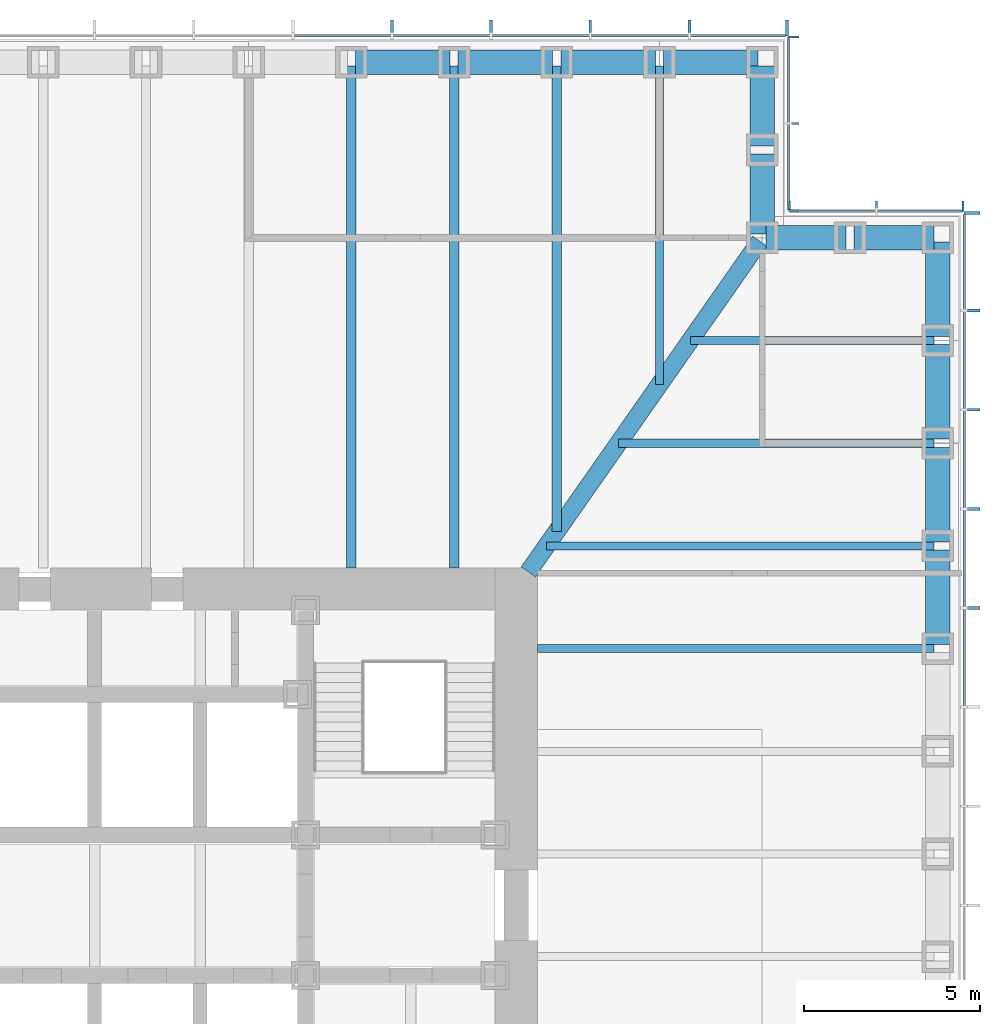
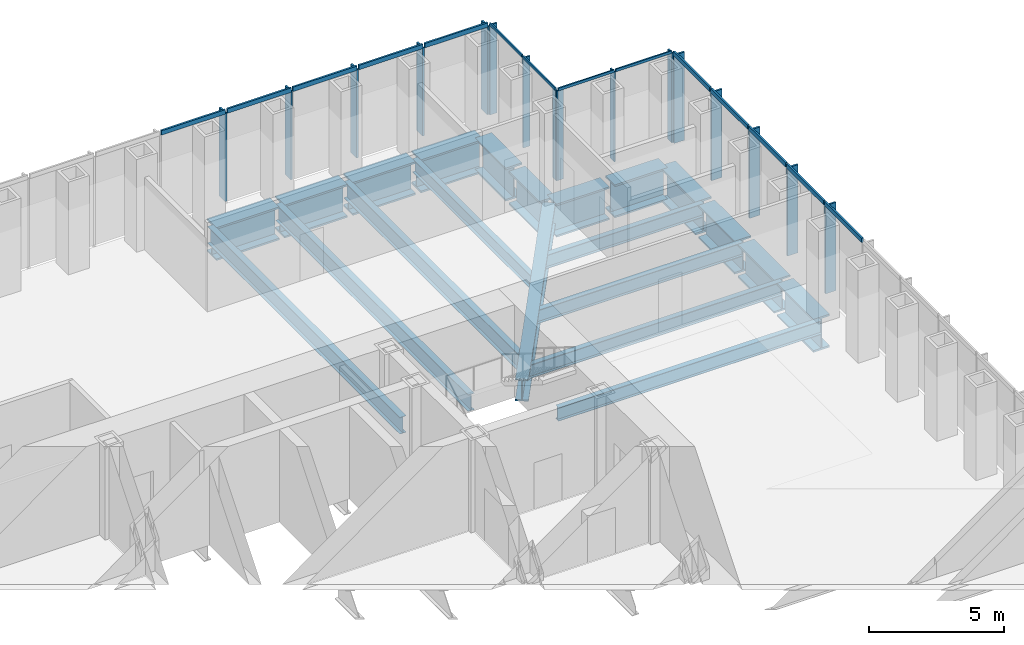
# One storey, part 6 of 17: 30 members, 21 beams, 4 elements without a shape of their own.
"""IFC4 building model written with IfcOpenShell, lengths in metres."""

import ifcopenshell
import ifcopenshell.guid

model = None  # the IFC model being written
_history = None  # IfcOwnerHistory: only IFC2X3 demands one
_inside = {}  # id of a spatial element -> (the spatial element, [elements in it])
_under = {}  # id of a project, library or spatial element -> (it, [spatial elements below it])
_declared = {}  # id of a project -> (the project, [libraries it declares])
_typed = {}  # id of a type object -> (the type object, [elements of that type])
_made_of = {}  # id of a material, layer set ... -> (it, [elements and type objects made of it])


def new_model(schema):
    """Start an empty IFC model of exactly this schema.

    Asked for "IFC4X3", IfcOpenShell would pick the latest addendum, in which some entities
    have other attributes; the version numbers below select the first issue.
    IFC2X3 requires an IfcOwnerHistory on every rooted entity: one is made here for all.
    """
    global model, _history
    if schema == "IFC4X3":
        model = ifcopenshell.file(schema_version=(4, 3, 0, 0))
    else:
        model = ifcopenshell.file(schema=schema)
    _inside.clear()
    _under.clear()
    _declared.clear()
    _typed.clear()
    _made_of.clear()
    _history = None
    if model.schema == "IFC2X3":
        org = make("IfcOrganization", Name="unknown")
        user = make(
            "IfcPersonAndOrganization",
            ThePerson=make("IfcPerson", FamilyName="unknown"),
            TheOrganization=org,
        )
        app = make(
            "IfcApplication",
            ApplicationDeveloper=org,
            Version="unknown",
            ApplicationFullName="unknown",
            ApplicationIdentifier="unknown",
        )
        _history = make(
            "IfcOwnerHistory",
            OwningUser=user,
            OwningApplication=app,
            ChangeAction="ADDED",
            CreationDate=0,
        )
    return model


def make(cls, **values):
    """One entity of the class cls with the attributes given. An attribute that is None is left unset."""
    return model.create_entity(
        cls, **{name: value for name, value in values.items() if value is not None}
    )


def rooted(cls, **values):
    """An entity with a GlobalId (a new one), such as an element, a storey or a relation."""
    return make(cls, GlobalId=ifcopenshell.guid.new(), OwnerHistory=_history, **values)


def si_unit(unit_type, name, prefix=None):
    """IfcSIUnit, for example si_unit("LENGTHUNIT", "METRE", prefix="MILLI")."""
    return make("IfcSIUnit", UnitType=unit_type, Prefix=prefix, Name=name)


def assignment(units):
    """IfcUnitAssignment: the units of a project."""
    return None if units is None else make("IfcUnitAssignment", Units=units)


def point(xyz):
    """IfcCartesianPoint."""
    return None if xyz is None else make("IfcCartesianPoint", Coordinates=xyz)


def direction(xyz):
    """IfcDirection."""
    return None if xyz is None else make("IfcDirection", DirectionRatios=xyz)


def frame(location, z_axis=None, x_axis=None):
    """IfcAxis2Placement3D, a coordinate frame: its origin and axes. An axis left out is left unset."""
    return make(
        "IfcAxis2Placement3D",
        Location=point(location),
        Axis=direction(z_axis),
        RefDirection=direction(x_axis),
    )


def frame_2d(location, x_axis=None):
    """IfcAxis2Placement2D, a coordinate frame in the plane: its origin and x axis."""
    return make(
        "IfcAxis2Placement2D", Location=point(location), RefDirection=direction(x_axis)
    )


def origin():
    """The frame at (0, 0, 0) with its axes left unset."""
    return frame((0.0, 0.0, 0.0))


def origin_2d():
    """The frame at (0, 0) in the plane with its x axis left unset."""
    return frame_2d((0.0, 0.0))


def place(relative_to, where):
    """IfcLocalPlacement: puts the frame where relative to a parent placement (None: the world)."""
    return make(
        "IfcLocalPlacement", PlacementRelTo=relative_to, RelativePlacement=where
    )


def context(
    kind, dimensions, precision=None, world=None, true_north=None, identifier=None
):
    """IfcGeometricRepresentationContext, for example the 3D "Model" context."""
    return make(
        "IfcGeometricRepresentationContext",
        ContextIdentifier=identifier,
        ContextType=kind,
        CoordinateSpaceDimension=dimensions,
        Precision=precision,
        WorldCoordinateSystem=world,
        TrueNorth=true_north,
    )


def subcontext(parent, identifier, kind, view, scale=None):
    """IfcGeometricRepresentationSubContext, for example "Body" below "Model"."""
    return make(
        "IfcGeometricRepresentationSubContext",
        ContextIdentifier=identifier,
        ContextType=kind,
        ParentContext=parent,
        TargetScale=scale,
        TargetView=view,
    )


def project(units=None, contexts=None):
    """IfcProject with its units and contexts."""
    return rooted(
        "IfcProject",
        Name="project",
        RepresentationContexts=contexts,
        UnitsInContext=assignment(units),
    )


def spatial(cls, under=None, at=None, **own):
    """A site, building, storey or space (cls), placed at a placement, below another one or the project."""
    s = rooted(cls, ObjectPlacement=at, **own)
    if under is not None:
        _under.setdefault(under.id(), (under, []))[1].append(s)
    return s


def profile(cls, at=None, kind="AREA", **sizes):
    """A parametric profile (cls). Its sizes go by their IFC names, for example OverallWidth=200.0."""
    return make(cls, ProfileType=kind, Position=at, **sizes)


def rectangle(**sizes):
    """IfcRectangleProfileDef."""
    return profile("IfcRectangleProfileDef", **sizes)


def i_section(**sizes):
    """IfcIShapeProfileDef."""
    return profile("IfcIShapeProfileDef", **sizes)


def extrude(swept, where, along, depth):
    """IfcExtrudedAreaSolid: the profile swept, set in the frame where, extruded along a direction by depth."""
    return make(
        "IfcExtrudedAreaSolid",
        SweptArea=swept,
        Position=where,
        ExtrudedDirection=direction(along),
        Depth=depth,
    )


def shape(context_of_items, identifier, shape_type, items):
    """IfcShapeRepresentation: the items that make up one representation, for example the "Body"."""
    return make(
        "IfcShapeRepresentation",
        ContextOfItems=context_of_items,
        RepresentationIdentifier=identifier,
        RepresentationType=shape_type,
        Items=items,
    )


def material(Name=None, Category=None):
    """IfcMaterial."""
    return make("IfcMaterial", Name=Name, Category=Category)


def material_profile(
    of_material, cross_section, Name=None, Category=None, Priority=None
):
    """IfcMaterialProfile: a cross section and its material."""
    return make(
        "IfcMaterialProfile",
        Name=Name,
        Material=of_material,
        Profile=cross_section,
        Priority=Priority,
        Category=Category,
    )


def profile_set(profiles, Name=None, composite=None):
    """IfcMaterialProfileSet."""
    return make(
        "IfcMaterialProfileSet",
        Name=Name,
        MaterialProfiles=profiles,
        CompositeProfile=composite,
    )


def made_of(thing, what):
    """Note that an element or type object is made of a material, layer set ...; save() writes the relation."""
    if what is not None:
        _made_of.setdefault(what.id(), (what, []))[1].append(thing)
    return thing


def type_object(cls, material=None, **own):
    """A type object (cls), such as IfcWallType, which elements share."""
    return made_of(rooted(cls, **own), material)


def element(
    cls,
    number,
    at=None,
    inside=None,
    cuts=None,
    type_object=None,
    material=None,
    context=None,
    identifier="Body",
    shape_type=None,
    held_by="IfcProductDefinitionShape",
    body=None,
    shapes=None,
    **own,
):
    """One element of the class cls, such as IfcWall. Its Tag is "e" and its number.

    at: its placement. inside: the storey or other place that contains it. cuts: it is an
    opening in that element (IfcRelVoidsElement). A single representation is given by context,
    identifier, shape_type and body (its items); several are given by shapes. held_by: the class
    of the entity that holds the representations. save() writes the other relations.
    """
    e = rooted(cls, Tag="e%d" % number, ObjectPlacement=at, **own)
    if body is not None:
        shapes = [shape(context, identifier, shape_type, body)]
    if shapes is not None:
        e.Representation = make(held_by, Representations=shapes)
    if inside is not None:
        _inside.setdefault(inside.id(), (inside, []))[1].append(e)
    if cuts is not None:
        rooted(
            "IfcRelVoidsElement", RelatingBuildingElement=cuts, RelatedOpeningElement=e
        )
    if type_object is not None:
        _typed.setdefault(type_object.id(), (type_object, []))[1].append(e)
    return made_of(e, material)


def aggregate(whole, parts):
    """IfcRelAggregates: a whole, such as a stair, and the parts it consists of."""
    return rooted("IfcRelAggregates", RelatingObject=whole, RelatedObjects=parts)


def save(model, path):
    """Write the relations noted so far, then the file.

    IfcRelAggregates (storeys below a building ...), IfcRelContainedInSpatialStructure (elements
    in a storey), IfcRelDefinesByType, IfcRelAssociatesMaterial and IfcRelDeclares: one each for
    every whole, place, type object, material and project.
    """
    for whole, parts in _under.values():
        aggregate(whole, parts)
    for where, things in _inside.values():
        rooted(
            "IfcRelContainedInSpatialStructure",
            RelatedElements=things,
            RelatingStructure=where,
        )
    for kind, things in _typed.values():
        rooted("IfcRelDefinesByType", RelatedObjects=things, RelatingType=kind)
    for what, things in _made_of.values():
        rooted("IfcRelAssociatesMaterial", RelatedObjects=things, RelatingMaterial=what)
    for by, libraries in _declared.values():
        rooted("IfcRelDeclares", RelatingContext=by, RelatedDefinitions=libraries)
    model.write(path)


model = new_model("IFC4")

# Units and contexts
model_context = context("Model", 3, precision=1e-05, world=origin(), true_north=direction((0.0, 1.0)))
body_context = subcontext(model_context, "Body", "Model", "MODEL_VIEW")
ifc_project = project(units=[si_unit("LENGTHUNIT", "METRE"), si_unit("AREAUNIT", "SQUARE_METRE"), si_unit("VOLUMEUNIT", "CUBIC_METRE"), si_unit("PLANEANGLEUNIT", "RADIAN"), si_unit("MASSUNIT", "GRAM", prefix="KILO")], contexts=[model_context])

# Site, building, storey
site_placement = place(None, origin())
site = spatial("IfcSite", under=ifc_project, at=site_placement, CompositionType="ELEMENT")
building_placement = place(site_placement, origin())
building = spatial("IfcBuilding", under=site, at=building_placement, Name="Daluyong Arena Tower", CompositionType="ELEMENT")
storey_placement = place(building_placement, frame((0.0, 0.0, 89.5)))
storey = spatial("IfcBuildingStorey", under=building, at=storey_placement, Name="L19", CompositionType="ELEMENT", Elevation=89.5)

# Curtain wall, members
ifc_material_1 = material(Name="Bronze anodised aluminium and glass", Category="aluminium")
curtain_wall_type_1 = type_object("IfcCurtainWallType", Name="Curtain wall CW1", PredefinedType="USERDEFINED", material=ifc_material_1)
curtain_wall_1_placement = place(storey_placement, origin())
curtain_wall_1 = element("IfcCurtainWall", 1, at=curtain_wall_1_placement, inside=storey, type_object=curtain_wall_type_1, Name="curtain wall L19 E", ObjectType="UNITISED CURTAIN WALL", PredefinedType="USERDEFINED")
ifc_material_2 = material(Name="Bronze anodised aluminium fin", Category="aluminium")
ifc_material_profile_1 = material_profile(ifc_material_2, rectangle(XDim=0.449951171875, YDim=0.080078125, at=origin_2d()))
ifc_profile_set_1 = profile_set([ifc_material_profile_1], Name="Bronze anodised aluminium fin")
member_type_1 = type_object("IfcMemberType", Name="CW1 bronze fin 450x80", PredefinedType="MULLION", material=ifc_profile_set_1)
member_1_placement = place(storey_placement, frame((80.97509765625, 88.46435546875, 0.0), z_axis=(0.0, 0.0, 1.0), x_axis=(-1.0, 0.0, 0.0)))
member_1 = element("IfcMember", 2, at=member_1_placement, type_object=member_type_1, Name="curtain wall L19 E fin 11", PredefinedType="MULLION", context=body_context, shape_type="SweptSolid", body=[
    extrude(rectangle(XDim=0.449951171875, YDim=0.080078125, at=origin_2d()), origin(), (0.0, 0.0, 1.0), 4.0),
])
member_2_placement = place(storey_placement, frame((80.97509765625, 91.28564453125, 0.0), z_axis=(0.0, 0.0, 1.0), x_axis=(-1.0, 0.0, 0.0)))
member_2 = element("IfcMember", 3, at=member_2_placement, type_object=member_type_1, Name="curtain wall L19 E fin 12", PredefinedType="MULLION", context=body_context, shape_type="SweptSolid", body=[
    extrude(rectangle(XDim=0.449951171875, YDim=0.080078125, at=origin_2d()), origin(), (0.0, 0.0, 1.0), 4.0),
])
member_3_placement = place(storey_placement, frame((80.97509765625, 94.107177734375, 0.0), z_axis=(0.0, 0.0, 1.0), x_axis=(-1.0, 0.0, 0.0)))
member_3 = element("IfcMember", 4, at=member_3_placement, type_object=member_type_1, Name="curtain wall L19 E fin 13", PredefinedType="MULLION", context=body_context, shape_type="SweptSolid", body=[
    extrude(rectangle(XDim=0.449951171875, YDim=0.080078125, at=origin_2d()), origin(), (0.0, 0.0, 1.0), 4.0),
])
member_4_placement = place(storey_placement, frame((80.97509765625, 96.928466796875, 0.0), z_axis=(0.0, 0.0, 1.0), x_axis=(-1.0, 0.0, 0.0)))
member_4 = element("IfcMember", 5, at=member_4_placement, type_object=member_type_1, Name="curtain wall L19 E fin 14", PredefinedType="MULLION", context=body_context, shape_type="SweptSolid", body=[
    extrude(rectangle(XDim=0.449951171875, YDim=0.080078125, at=origin_2d()), origin(), (0.0, 0.0, 1.0), 4.0),
])
member_5_placement = place(storey_placement, frame((80.97509765625, 99.7099609375, 0.0), z_axis=(0.0, 0.0, 1.0), x_axis=(-1.0, 0.0, 0.0)))
member_5 = element("IfcMember", 6, at=member_5_placement, type_object=member_type_1, Name="curtain wall L19 E fin 15", PredefinedType="MULLION", context=body_context, shape_type="SweptSolid", body=[
    extrude(rectangle(XDim=0.449951171875, YDim=0.080078125, at=origin_2d()), origin(), (0.0, 0.0, 1.0), 4.0),
])

curtain_wall_2_placement = place(storey_placement, origin())
curtain_wall_2 = element("IfcCurtainWall", 7, at=curtain_wall_2_placement, inside=storey, type_object=curtain_wall_type_1, Name="curtain wall L19 N", ObjectType="UNITISED CURTAIN WALL", PredefinedType="USERDEFINED")
member_6_placement = place(storey_placement, frame((75.7099609375, 104.97509765625, 0.0), z_axis=(0.0, 0.0, 1.0), x_axis=(0.0, -1.0, 0.0)))
member_6 = element("IfcMember", 8, at=member_6_placement, type_object=member_type_1, Name="curtain wall L19 N fin 1", PredefinedType="MULLION", context=body_context, shape_type="SweptSolid", body=[
    extrude(rectangle(XDim=0.449951171875, YDim=0.080078125, at=origin_2d()), origin(), (0.0, 0.0, 1.0), 4.0),
])
member_7_placement = place(storey_placement, frame((72.928466796875, 104.97509765625, 0.0), z_axis=(0.0, 0.0, 1.0), x_axis=(0.0, -1.0, 0.0)))
member_7 = element("IfcMember", 9, at=member_7_placement, type_object=member_type_1, Name="curtain wall L19 N fin 2", PredefinedType="MULLION", context=body_context, shape_type="SweptSolid", body=[
    extrude(rectangle(XDim=0.449951171875, YDim=0.080078125, at=origin_2d()), origin(), (0.0, 0.0, 1.0), 4.0),
])
member_8_placement = place(storey_placement, frame((70.107177734375, 104.97509765625, 0.0), z_axis=(0.0, 0.0, 1.0), x_axis=(0.0, -1.0, 0.0)))
member_8 = element("IfcMember", 10, at=member_8_placement, type_object=member_type_1, Name="curtain wall L19 N fin 3", PredefinedType="MULLION", context=body_context, shape_type="SweptSolid", body=[
    extrude(rectangle(XDim=0.449951171875, YDim=0.080078125, at=origin_2d()), origin(), (0.0, 0.0, 1.0), 4.0),
])
member_9_placement = place(storey_placement, frame((67.28564453125, 104.97509765625, 0.0), z_axis=(0.0, 0.0, 1.0), x_axis=(0.0, -1.0, 0.0)))
member_9 = element("IfcMember", 11, at=member_9_placement, type_object=member_type_1, Name="curtain wall L19 N fin 4", PredefinedType="MULLION", context=body_context, shape_type="SweptSolid", body=[
    extrude(rectangle(XDim=0.449951171875, YDim=0.080078125, at=origin_2d()), origin(), (0.0, 0.0, 1.0), 4.0),
])
member_10_placement = place(storey_placement, frame((64.46435546875, 104.97509765625, 0.0), z_axis=(0.0, 0.0, 1.0), x_axis=(0.0, -1.0, 0.0)))
member_10 = element("IfcMember", 12, at=member_10_placement, type_object=member_type_1, Name="curtain wall L19 N fin 5", PredefinedType="MULLION", context=body_context, shape_type="SweptSolid", body=[
    extrude(rectangle(XDim=0.449951171875, YDim=0.080078125, at=origin_2d()), origin(), (0.0, 0.0, 1.0), 4.0),
])

# Member
ifc_material_3 = material(Name="Bronze anodised aluminium", Category="aluminium")
ifc_material_profile_2 = material_profile(ifc_material_3, rectangle(XDim=0.080078125, YDim=0.199951171875, at=origin_2d()))
ifc_profile_set_2 = profile_set([ifc_material_profile_2], Name="Bronze anodised aluminium")
member_type_2 = type_object("IfcMemberType", Name="CW1 stack transom 200x80", PredefinedType="USERDEFINED", material=ifc_profile_set_2)
member_11_placement = place(storey_placement, frame((80.75, 85.682861328125, 4.10009765625), z_axis=(0.0, 1.0, 0.0), x_axis=(-1.0, 0.0, 0.0)))
member_11 = element("IfcMember", 13, at=member_11_placement, type_object=member_type_2, Name="curtain wall L19 E transom 10", ObjectType="TRANSOM", PredefinedType="USERDEFINED", context=body_context, shape_type="SweptSolid", body=[
    extrude(rectangle(XDim=0.080078125, YDim=0.199951171875, at=origin_2d()), origin(), (0.0, 0.0, 1.0), 2.741455078125),
])

member_12_placement = place(storey_placement, frame((80.75, 88.50439453125, 4.10009765625), z_axis=(0.0, 1.0, 0.0), x_axis=(-1.0, 0.0, 0.0)))
member_12 = element("IfcMember", 14, at=member_12_placement, type_object=member_type_2, Name="curtain wall L19 E transom 11", ObjectType="TRANSOM", PredefinedType="USERDEFINED", context=body_context, shape_type="SweptSolid", body=[
    extrude(rectangle(XDim=0.080078125, YDim=0.199951171875, at=origin_2d()), origin(), (0.0, 0.0, 1.0), 2.7412109375),
])

member_13_placement = place(storey_placement, frame((80.75, 91.32568359375, 4.10009765625), z_axis=(0.0, 1.0, 0.0), x_axis=(-1.0, 0.0, 0.0)))
member_13 = element("IfcMember", 15, at=member_13_placement, type_object=member_type_2, Name="curtain wall L19 E transom 12", ObjectType="TRANSOM", PredefinedType="USERDEFINED", context=body_context, shape_type="SweptSolid", body=[
    extrude(rectangle(XDim=0.080078125, YDim=0.199951171875, at=origin_2d()), origin(), (0.0, 0.0, 1.0), 2.741455078125),
])

member_14_placement = place(storey_placement, frame((80.75, 94.147216796875, 4.10009765625), z_axis=(0.0, 1.0, 0.0), x_axis=(-1.0, 0.0, 0.0)))
member_14 = element("IfcMember", 16, at=member_14_placement, type_object=member_type_2, Name="curtain wall L19 E transom 13", ObjectType="TRANSOM", PredefinedType="USERDEFINED", context=body_context, shape_type="SweptSolid", body=[
    extrude(rectangle(XDim=0.080078125, YDim=0.199951171875, at=origin_2d()), origin(), (0.0, 0.0, 1.0), 2.741455078125),
])

member_15_placement = place(storey_placement, frame((80.75, 96.968505859375, 4.10009765625), z_axis=(0.0, 1.0, 0.0), x_axis=(-1.0, 0.0, 0.0)))
member_15 = element("IfcMember", 17, at=member_15_placement, type_object=member_type_2, Name="curtain wall L19 E transom 14", ObjectType="TRANSOM", PredefinedType="USERDEFINED", context=body_context, shape_type="SweptSolid", body=[
    extrude(rectangle(XDim=0.080078125, YDim=0.199951171875, at=origin_2d()), origin(), (0.0, 0.0, 1.0), 2.701416015625),
])

aggregate(curtain_wall_1, [member_1, member_2, member_3, member_4, member_5, member_11, member_12, member_13, member_14, member_15])

member_16_placement = place(storey_placement, frame((75.669921875, 104.75, 4.10009765625), z_axis=(-1.0, 0.0, 0.0), x_axis=(0.0, -1.0, 0.0)))
member_16 = element("IfcMember", 18, at=member_16_placement, type_object=member_type_2, Name="curtain wall L19 N transom 1", ObjectType="TRANSOM", PredefinedType="USERDEFINED", context=body_context, shape_type="SweptSolid", body=[
    extrude(rectangle(XDim=0.080078125, YDim=0.199951171875, at=origin_2d()), origin(), (0.0, 0.0, 1.0), 2.701416015625),
])

member_17_placement = place(storey_placement, frame((72.888671875, 104.75, 4.10009765625), z_axis=(-1.0, 0.0, 0.0), x_axis=(0.0, -1.0, 0.0)))
member_17 = element("IfcMember", 19, at=member_17_placement, type_object=member_type_2, Name="curtain wall L19 N transom 2", ObjectType="TRANSOM", PredefinedType="USERDEFINED", context=body_context, shape_type="SweptSolid", body=[
    extrude(rectangle(XDim=0.080078125, YDim=0.199951171875, at=origin_2d()), origin(), (0.0, 0.0, 1.0), 2.741455078125),
])

member_18_placement = place(storey_placement, frame((70.067138671875, 104.75, 4.10009765625), z_axis=(-1.0, 0.0, 0.0), x_axis=(0.0, -1.0, 0.0)))
member_18 = element("IfcMember", 20, at=member_18_placement, type_object=member_type_2, Name="curtain wall L19 N transom 3", ObjectType="TRANSOM", PredefinedType="USERDEFINED", context=body_context, shape_type="SweptSolid", body=[
    extrude(rectangle(XDim=0.080078125, YDim=0.199951171875, at=origin_2d()), origin(), (0.0, 0.0, 1.0), 2.741455078125),
])

member_19_placement = place(storey_placement, frame((67.24560546875, 104.75, 4.10009765625), z_axis=(-1.0, 0.0, 0.0), x_axis=(0.0, -1.0, 0.0)))
member_19 = element("IfcMember", 21, at=member_19_placement, type_object=member_type_2, Name="curtain wall L19 N transom 4", ObjectType="TRANSOM", PredefinedType="USERDEFINED", context=body_context, shape_type="SweptSolid", body=[
    extrude(rectangle(XDim=0.080078125, YDim=0.199951171875, at=origin_2d()), origin(), (0.0, 0.0, 1.0), 2.7412109375),
])

member_20_placement = place(storey_placement, frame((64.42431640625, 104.75, 4.10009765625), z_axis=(-1.0, 0.0, 0.0), x_axis=(0.0, -1.0, 0.0)))
member_20 = element("IfcMember", 22, at=member_20_placement, type_object=member_type_2, Name="curtain wall L19 N transom 5", ObjectType="TRANSOM", PredefinedType="USERDEFINED", context=body_context, shape_type="SweptSolid", body=[
    extrude(rectangle(XDim=0.080078125, YDim=0.199951171875, at=origin_2d()), origin(), (0.0, 0.0, 1.0), 2.741455078125),
])

aggregate(curtain_wall_2, [member_6, member_7, member_8, member_9, member_10, member_16, member_17, member_18, member_19, member_20])

# Curtain wall, members
ifc_material_4 = material(Name="Bronze anodised aluminium and glass", Category="aluminium")
curtain_wall_type_2 = type_object("IfcCurtainWallType", Name="Curtain wall CW7", PredefinedType="USERDEFINED", material=ifc_material_4)
curtain_wall_3_placement = place(storey_placement, origin())
curtain_wall_3 = element("IfcCurtainWall", 23, at=curtain_wall_3_placement, inside=storey, type_object=curtain_wall_type_2, Name="curtain wall L19 NE-N", ObjectType="UNITISED CURTAIN WALL", PredefinedType="USERDEFINED")
ifc_material_5 = material(Name="Bronze anodised aluminium fin", Category="aluminium")
ifc_material_profile_3 = material_profile(ifc_material_5, rectangle(XDim=0.300048828125, YDim=0.06005859375, at=origin_2d()))
ifc_profile_set_3 = profile_set([ifc_material_profile_3], Name="Bronze anodised aluminium fin")
member_type_3 = type_object("IfcMemberType", Name="CW7 bronze fin 300x60", PredefinedType="MULLION", material=ifc_profile_set_3)
member_21_placement = place(storey_placement, frame((80.719970703125, 99.89990234375, 0.0), z_axis=(0.0, 0.0, 1.0), x_axis=(0.0, -1.0, 0.0)))
member_21 = element("IfcMember", 24, at=member_21_placement, type_object=member_type_3, Name="curtain wall L19 NE-N fin 1", PredefinedType="MULLION", context=body_context, shape_type="SweptSolid", body=[
    extrude(rectangle(XDim=0.300048828125, YDim=0.06005859375, at=origin_2d()), origin(), (0.0, 0.0, 1.0), 4.080078125),
])
member_22_placement = place(storey_placement, frame((78.25, 99.89990234375, 0.0), z_axis=(0.0, 0.0, 1.0), x_axis=(0.0, -1.0, 0.0)))
member_22 = element("IfcMember", 25, at=member_22_placement, type_object=member_type_3, Name="curtain wall L19 NE-N fin 2", PredefinedType="MULLION", context=body_context, shape_type="SweptSolid", body=[
    extrude(rectangle(XDim=0.300048828125, YDim=0.06005859375, at=origin_2d()), origin(), (0.0, 0.0, 1.0), 4.080078125),
])
member_23_placement = place(storey_placement, frame((75.780029296875, 99.89990234375, 0.0), z_axis=(0.0, 0.0, 1.0), x_axis=(0.0, -1.0, 0.0)))
member_23 = element("IfcMember", 26, at=member_23_placement, type_object=member_type_3, Name="curtain wall L19 NE-N fin 3", PredefinedType="MULLION", context=body_context, shape_type="SweptSolid", body=[
    extrude(rectangle(XDim=0.300048828125, YDim=0.06005859375, at=origin_2d()), origin(), (0.0, 0.0, 1.0), 4.080078125),
])

curtain_wall_4_placement = place(storey_placement, origin())
curtain_wall_4 = element("IfcCurtainWall", 27, at=curtain_wall_4_placement, inside=storey, type_object=curtain_wall_type_2, Name="curtain wall L19 NE-E", ObjectType="UNITISED CURTAIN WALL", PredefinedType="USERDEFINED")
member_24_placement = place(storey_placement, frame((75.89990234375, 99.780029296875, 0.0), z_axis=(0.0, 0.0, 1.0), x_axis=(-1.0, 0.0, 0.0)))
member_24 = element("IfcMember", 28, at=member_24_placement, type_object=member_type_3, Name="curtain wall L19 NE-E fin 1", PredefinedType="MULLION", context=body_context, shape_type="SweptSolid", body=[
    extrude(rectangle(XDim=0.300048828125, YDim=0.06005859375, at=origin_2d()), origin(), (0.0, 0.0, 1.0), 4.080078125),
])
member_25_placement = place(storey_placement, frame((75.89990234375, 102.25, 0.0), z_axis=(0.0, 0.0, 1.0), x_axis=(-1.0, 0.0, 0.0)))
member_25 = element("IfcMember", 29, at=member_25_placement, type_object=member_type_3, Name="curtain wall L19 NE-E fin 2", PredefinedType="MULLION", context=body_context, shape_type="SweptSolid", body=[
    extrude(rectangle(XDim=0.300048828125, YDim=0.06005859375, at=origin_2d()), origin(), (0.0, 0.0, 1.0), 4.080078125),
])
member_26_placement = place(storey_placement, frame((75.89990234375, 104.719970703125, 0.0), z_axis=(0.0, 0.0, 1.0), x_axis=(-1.0, 0.0, 0.0)))
member_26 = element("IfcMember", 30, at=member_26_placement, type_object=member_type_3, Name="curtain wall L19 NE-E fin 3", PredefinedType="MULLION", context=body_context, shape_type="SweptSolid", body=[
    extrude(rectangle(XDim=0.300048828125, YDim=0.06005859375, at=origin_2d()), origin(), (0.0, 0.0, 1.0), 4.080078125),
])

# Member
ifc_material_6 = material(Name="Bronze anodised aluminium", Category="aluminium")
ifc_material_profile_4 = material_profile(ifc_material_6, rectangle(XDim=0.06005859375, YDim=0.1201171875, at=origin_2d()))
ifc_profile_set_4 = profile_set([ifc_material_profile_4], Name="Bronze anodised aluminium")
member_type_4 = type_object("IfcMemberType", Name="CW7 stack transom 120x60", PredefinedType="USERDEFINED", material=ifc_profile_set_4)
member_27_placement = place(storey_placement, frame((80.68994140625, 99.75, 4.139892578125), z_axis=(-1.0, 0.0, 0.0), x_axis=(0.0, -1.0, 0.0)))
member_27 = element("IfcMember", 31, at=member_27_placement, type_object=member_type_4, Name="curtain wall L19 NE-N transom 1", ObjectType="TRANSOM", PredefinedType="USERDEFINED", context=body_context, shape_type="SweptSolid", body=[
    extrude(rectangle(XDim=0.06005859375, YDim=0.1201171875, at=origin_2d()), origin(), (0.0, 0.0, 1.0), 2.409912109375),
])

member_28_placement = place(storey_placement, frame((78.219970703125, 99.75, 4.139892578125), z_axis=(-1.0, 0.0, 0.0), x_axis=(0.0, -1.0, 0.0)))
member_28 = element("IfcMember", 32, at=member_28_placement, type_object=member_type_4, Name="curtain wall L19 NE-N transom 2", ObjectType="TRANSOM", PredefinedType="USERDEFINED", context=body_context, shape_type="SweptSolid", body=[
    extrude(rectangle(XDim=0.06005859375, YDim=0.1201171875, at=origin_2d()), origin(), (0.0, 0.0, 1.0), 2.409912109375),
])

aggregate(curtain_wall_3, [member_21, member_22, member_23, member_27, member_28])

member_29_placement = place(storey_placement, frame((75.75, 99.81005859375, 4.139892578125), z_axis=(0.0, 1.0, 0.0), x_axis=(-1.0, 0.0, 0.0)))
member_29 = element("IfcMember", 33, at=member_29_placement, type_object=member_type_4, Name="curtain wall L19 NE-E transom 1", ObjectType="TRANSOM", PredefinedType="USERDEFINED", context=body_context, shape_type="SweptSolid", body=[
    extrude(rectangle(XDim=0.06005859375, YDim=0.1201171875, at=origin_2d()), origin(), (0.0, 0.0, 1.0), 2.409912109375),
])

member_30_placement = place(storey_placement, frame((75.75, 102.280029296875, 4.139892578125), z_axis=(0.0, 1.0, 0.0), x_axis=(-1.0, 0.0, 0.0)))
member_30 = element("IfcMember", 34, at=member_30_placement, type_object=member_type_4, Name="curtain wall L19 NE-E transom 2", ObjectType="TRANSOM", PredefinedType="USERDEFINED", context=body_context, shape_type="SweptSolid", body=[
    extrude(rectangle(XDim=0.06005859375, YDim=0.1201171875, at=origin_2d()), origin(), (0.0, 0.0, 1.0), 2.409912109375),
])

aggregate(curtain_wall_4, [member_24, member_25, member_26, member_29, member_30])

# Beams
ifc_material_7 = material(Name="Steel ASTM A572 Grade 50", Category="steel")
ifc_material_profile_5 = material_profile(ifc_material_7, i_section(OverallWidth=0.5, OverallDepth=1.0, WebThickness=0.03, FlangeThickness=0.06, at=origin_2d()))
ifc_profile_set_5 = profile_set([ifc_material_profile_5], Name="Steel ASTM A572 Grade 50")
beam_type_1 = type_object("IfcBeamType", Name="Corner girder TB1000X500", PredefinedType="BEAM", material=ifc_profile_set_5)
beam_1_placement = place(storey_placement, frame((74.93408203125, 98.90576171875, -0.659912109375), z_axis=(-0.573466621875, -0.819228926244, 0.0), x_axis=(0.819228926244, -0.573466621875, 0.0)))
element("IfcBeam", 35, at=beam_1_placement, inside=storey, type_object=beam_type_1, Name="corner girder DG2", PredefinedType="BEAM", context=body_context, shape_type="SweptSolid", body=[
    extrude(i_section(OverallWidth=0.5, OverallDepth=1.0, WebThickness=0.03, FlangeThickness=0.06, at=origin_2d()), origin(), (0.0, 0.0, 1.0), 11.49169921875),
])
ifc_material_8 = material(Name="Steel ASTM A992 Grade 50", Category="steel")
ifc_material_profile_6 = material_profile(ifc_material_8, i_section(OverallWidth=0.22900390625, OverallDepth=0.612060546875, WebThickness=0.011962890625, FlangeThickness=0.01953125, at=origin_2d()))
ifc_profile_set_6 = profile_set([ifc_material_profile_6], Name="Steel ASTM A992 Grade 50")
beam_type_2 = type_object("IfcBeamType", Name="Floor beam W24X84", PredefinedType="BEAM", material=ifc_profile_set_6)
beam_2_placement = place(storey_placement, frame((79.885009765625, 87.3076171875, -0.466064453125), z_axis=(-1.0, 0.0, 0.0), x_axis=(0.0, -1.0, 0.0)))
element("IfcBeam", 36, at=beam_2_placement, inside=storey, type_object=beam_type_2, Name="floor beam FB3", PredefinedType="BEAM", context=body_context, shape_type="SweptSolid", body=[
    extrude(i_section(OverallWidth=0.22900390625, OverallDepth=0.612060546875, WebThickness=0.011962890625, FlangeThickness=0.01953125, at=origin_2d()), origin(), (0.0, 0.0, 1.0), 11.284912109375),
])
beam_3_placement = place(storey_placement, frame((79.885009765625, 90.230712890625, -0.466064453125), z_axis=(-1.0, 0.0, 0.0), x_axis=(0.0, -1.0, 0.0)))
element("IfcBeam", 37, at=beam_3_placement, inside=storey, type_object=beam_type_2, Name="floor beam FB3", PredefinedType="BEAM", context=body_context, shape_type="SweptSolid", body=[
    extrude(i_section(OverallWidth=0.22900390625, OverallDepth=0.612060546875, WebThickness=0.011962890625, FlangeThickness=0.01953125, at=origin_2d()), origin(), (0.0, 0.0, 1.0), 11.0234375),
])
beam_4_placement = place(storey_placement, frame((79.885009765625, 93.15380859375, -0.466064453125), z_axis=(-1.0, 0.0, 0.0), x_axis=(0.0, -1.0, 0.0)))
element("IfcBeam", 38, at=beam_4_placement, inside=storey, type_object=beam_type_2, Name="floor beam FB3", PredefinedType="BEAM", context=body_context, shape_type="SweptSolid", body=[
    extrude(i_section(OverallWidth=0.22900390625, OverallDepth=0.612060546875, WebThickness=0.011962890625, FlangeThickness=0.01953125, at=origin_2d()), origin(), (0.0, 0.0, 1.0), 8.977294921875),
])
beam_5_placement = place(storey_placement, frame((79.885009765625, 96.076904296875, -0.466064453125), z_axis=(-1.0, 0.0, 0.0), x_axis=(0.0, -1.0, 0.0)))
element("IfcBeam", 39, at=beam_5_placement, inside=storey, type_object=beam_type_2, Name="floor beam FB3", PredefinedType="BEAM", context=body_context, shape_type="SweptSolid", body=[
    extrude(i_section(OverallWidth=0.22900390625, OverallDepth=0.612060546875, WebThickness=0.011962890625, FlangeThickness=0.01953125, at=origin_2d()), origin(), (0.0, 0.0, 1.0), 6.93115234375),
])
beam_6_placement = place(storey_placement, frame((72.076904296875, 103.885009765625, -0.466064453125), z_axis=(0.0, -1.0, 0.0), x_axis=(1.0, 0.0, 0.0)))
element("IfcBeam", 40, at=beam_6_placement, inside=storey, type_object=beam_type_2, Name="floor beam FB3", PredefinedType="BEAM", context=body_context, shape_type="SweptSolid", body=[
    extrude(i_section(OverallWidth=0.22900390625, OverallDepth=0.612060546875, WebThickness=0.011962890625, FlangeThickness=0.01953125, at=origin_2d()), origin(), (0.0, 0.0, 1.0), 9.060791015625),
])
ifc_material_9 = material(Name="Steel ASTM A992 Grade 50", Category="steel")
ifc_material_profile_7 = material_profile(ifc_material_9, i_section(OverallWidth=0.2666015625, OverallDepth=0.761962890625, WebThickness=0.014404296875, FlangeThickness=0.021484375, at=origin_2d()))
ifc_profile_set_7 = profile_set([ifc_material_profile_7], Name="Steel ASTM A992 Grade 50")
beam_type_3 = type_object("IfcBeamType", Name="Floor beam W30X116", PredefinedType="BEAM", material=ifc_profile_set_7)
beam_7_placement = place(storey_placement, frame((69.15380859375, 103.885009765625, -0.541015625), z_axis=(0.0, -1.0, 0.0), x_axis=(1.0, 0.0, 0.0)))
element("IfcBeam", 41, at=beam_7_placement, inside=storey, type_object=beam_type_3, Name="floor beam FB4", PredefinedType="BEAM", context=body_context, shape_type="SweptSolid", body=[
    extrude(i_section(OverallWidth=0.2666015625, OverallDepth=0.761962890625, WebThickness=0.014404296875, FlangeThickness=0.021484375, at=origin_2d()), origin(), (0.0, 0.0, 1.0), 13.236572265625),
])
for number, where, z_axis, x_axis, name in (
    (42, (66.230712890625, 103.885009765625, -0.541015625), (0.0, -1.0, 0.0), (1.0, 0.0, 0.0), "floor beam FB4"),
    (43, (63.3076171875, 103.885009765625, -0.541015625), (0.0, -1.0, 0.0), (1.0, 0.0, 0.0), "floor beam FB4"),
):
    element("IfcBeam", number, at=place(storey_placement, frame(where, z_axis=z_axis, x_axis=x_axis)), inside=storey, type_object=beam_type_3, Name=name, PredefinedType="BEAM", context=body_context, shape_type="SweptSolid", body=[
        extrude(i_section(OverallWidth=0.2666015625, OverallDepth=0.761962890625, WebThickness=0.014404296875, FlangeThickness=0.021484375, at=origin_2d()), origin(), (0.0, 0.0, 1.0), 14.284912109375),
    ])
ifc_material_10 = material(Name="Steel ASTM A572 Grade 50", Category="steel")
ifc_material_profile_8 = material_profile(ifc_material_10, i_section(OverallWidth=0.699951171875, OverallDepth=1.5, WebThickness=0.04, FlangeThickness=0.08, at=origin_2d()))
ifc_profile_set_8 = profile_set([ifc_material_profile_8], Name="Steel ASTM A572 Grade 50")
beam_type_4 = type_object("IfcBeamType", Name="Spandrel Z1 PG1500X700", PredefinedType="SPANDREL", material=ifc_profile_set_8)
for number, where, z_axis, x_axis, name in (
    (44, (80.0, 87.422607421875, -0.909912109375), (0.0, 1.0, 0.0), (-1.0, 0.0, 0.0), "spandrel z1 SB4"),
    (45, (80.0, 90.345703125, -0.909912109375), (0.0, 1.0, 0.0), (-1.0, 0.0, 0.0), "spandrel z1 SB4"),
    (46, (80.0, 93.268798828125, -0.909912109375), (0.0, 1.0, 0.0), (-1.0, 0.0, 0.0), "spandrel z1 SB4"),
    (47, (80.0, 96.19189453125, -0.909912109375), (0.0, 1.0, 0.0), (-1.0, 0.0, 0.0), "spandrel z1 SB4"),
):
    element("IfcBeam", number, at=place(storey_placement, frame(where, z_axis=z_axis, x_axis=x_axis)), inside=storey, type_object=beam_type_4, Name=name, PredefinedType="SPANDREL", context=body_context, shape_type="SweptSolid", body=[
        extrude(i_section(OverallWidth=0.699951171875, OverallDepth=1.5, WebThickness=0.04, FlangeThickness=0.08, at=origin_2d()), origin(), (0.0, 0.0, 1.0), 2.693115234375),
    ])
for number, where, z_axis, x_axis, name in (
    (48, (79.885009765625, 99.0, -0.909912109375), (-1.0, 0.0, 0.0), (0.0, -1.0, 0.0), "spandrel z1 SB4"),
    (49, (77.385009765625, 99.0, -0.909912109375), (-1.0, 0.0, 0.0), (0.0, -1.0, 0.0), "spandrel z1 SB4"),
    (50, (75.0, 99.114990234375, -0.909912109375), (0.0, 1.0, 0.0), (-1.0, 0.0, 0.0), "spandrel z1 SB4"),
    (51, (75.0, 101.614990234375, -0.909912109375), (0.0, 1.0, 0.0), (-1.0, 0.0, 0.0), "spandrel z1 SB4"),
):
    element("IfcBeam", number, at=place(storey_placement, frame(where, z_axis=z_axis, x_axis=x_axis)), inside=storey, type_object=beam_type_4, Name=name, PredefinedType="SPANDREL", context=body_context, shape_type="SweptSolid", body=[
        extrude(i_section(OverallWidth=0.699951171875, OverallDepth=1.5, WebThickness=0.04, FlangeThickness=0.08, at=origin_2d()), origin(), (0.0, 0.0, 1.0), 2.27001953125),
    ])
for number, where, z_axis, x_axis, name in (
    (52, (74.885009765625, 104.0, -0.909912109375), (-1.0, 0.0, 0.0), (0.0, -1.0, 0.0), "spandrel z1 SB4"),
    (53, (71.9619140625, 104.0, -0.909912109375), (-1.0, 0.0, 0.0), (0.0, -1.0, 0.0), "spandrel z1 SB4"),
    (54, (69.038818359375, 104.0, -0.909912109375), (-1.0, 0.0, 0.0), (0.0, -1.0, 0.0), "spandrel z1 SB4"),
    (55, (66.11572265625, 104.0, -0.909912109375), (-1.0, 0.0, 0.0), (0.0, -1.0, 0.0), "spandrel z1 SB4"),
):
    element("IfcBeam", number, at=place(storey_placement, frame(where, z_axis=z_axis, x_axis=x_axis)), inside=storey, type_object=beam_type_4, Name=name, PredefinedType="SPANDREL", context=body_context, shape_type="SweptSolid", body=[
        extrude(i_section(OverallWidth=0.699951171875, OverallDepth=1.5, WebThickness=0.04, FlangeThickness=0.08, at=origin_2d()), origin(), (0.0, 0.0, 1.0), 2.693115234375),
    ])

save(model, "model.ifc")
